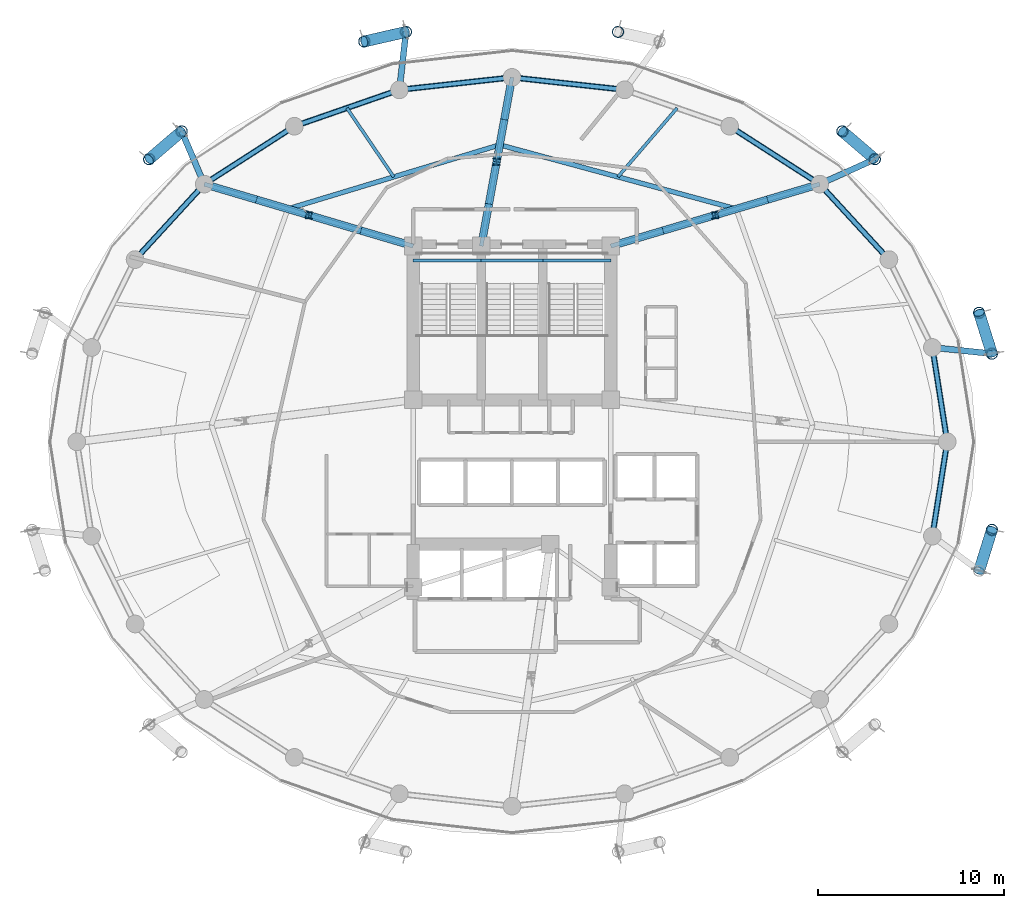
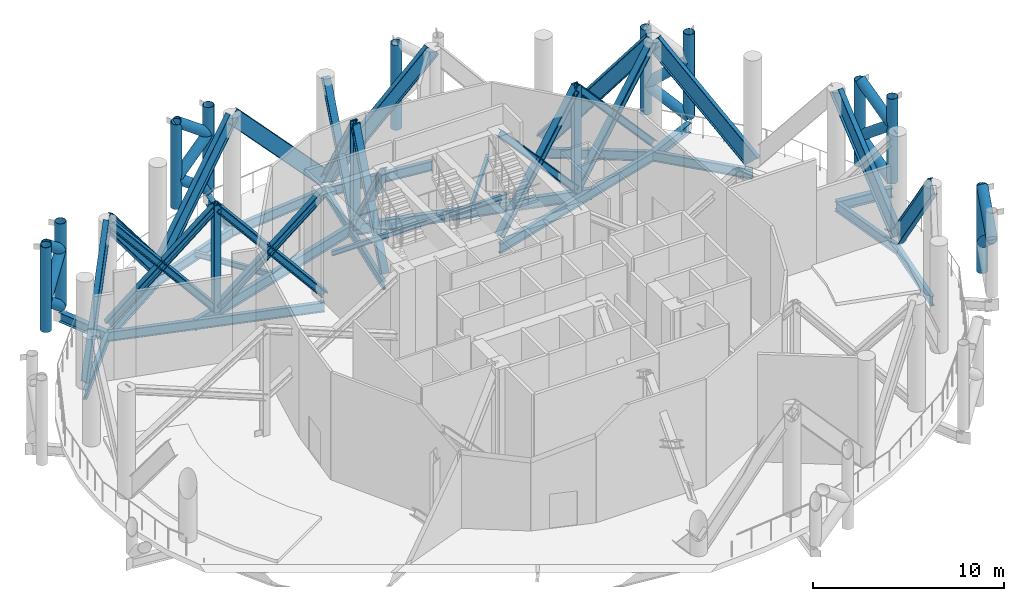
# One storey, part 3 of 18: 47 members, 23 beams.
"""IFC4 building model written with IfcOpenShell, lengths in metres."""

from ifc_helpers import new_model, si_unit, direction, frame, origin, origin_2d, place, context, subcontext, project, spatial, hollow_circle, i_section, extrude, material, material_profile, profile_set, type_object, element, save


model = new_model("IFC4")

# Units and contexts
model_context = context("Model", 3, precision=1e-05, world=origin(), true_north=direction((0.0, 1.0)))
body_context = subcontext(model_context, "Body", "Model", "MODEL_VIEW")
ifc_project = project(units=[si_unit("LENGTHUNIT", "METRE"), si_unit("AREAUNIT", "SQUARE_METRE"), si_unit("VOLUMEUNIT", "CUBIC_METRE"), si_unit("PLANEANGLEUNIT", "RADIAN"), si_unit("MASSUNIT", "GRAM", prefix="KILO")], contexts=[model_context])

# Site, building, storey
site_placement = place(None, origin())
site = spatial("IfcSite", under=ifc_project, at=site_placement, CompositionType="ELEMENT")
building_placement = place(site_placement, origin())
building = spatial("IfcBuilding", under=site, at=building_placement, Name="Nuhasar Tower", CompositionType="ELEMENT")
storey_placement = place(building_placement, frame((0.0, 0.0, 195.949951171875)))
storey = spatial("IfcBuildingStorey", under=building, at=storey_placement, Name="L48", CompositionType="ELEMENT", Elevation=195.949951171875)

# Members
ifc_material_1 = material(Name="Steel S460", Category="steel")
ifc_material_profile_1 = material_profile(ifc_material_1, i_section(OverallWidth=0.306884765625, OverallDepth=0.927001953125, WebThickness=0.019287109375, FlangeThickness=0.031982421875, at=origin_2d()), Name="W36X194")
ifc_profile_set_1 = profile_set([ifc_material_profile_1], Name="Steel S460")
member_type_1 = type_object("IfcMemberType", Name="BLT-DIAG-W36B", PredefinedType="CHORD", material=ifc_profile_set_1)
member_1_placement = place(storey_placement, frame((62.35009765625, 26.800048828125, 0.150146484375), z_axis=(-0.09547676718, 0.606823513206, 0.789081371437), x_axis=(-0.987847452566, -0.155426543608, 0.0)))
element("IfcMember", 1, at=member_1_placement, inside=storey, type_object=member_type_1, Name="L48 Belt Truss Diagonal 01", PredefinedType="CHORD", context=body_context, shape_type="SweptSolid", body=[
    extrude(i_section(OverallWidth=0.306884765625, OverallDepth=0.927001953125, WebThickness=0.019287109375, FlangeThickness=0.031982421875, at=origin_2d()), origin(), (0.0, 0.0, 1.0), 8.338623046875),
])
member_2_placement = place(storey_placement, frame((59.221923828125, 36.574951171875, 0.150146484375), z_axis=(-0.432969609117, 0.472421116263, 0.767694995744), x_axis=(-0.737218716491, -0.675654174897, 0.0)))
element("IfcMember", 2, at=member_2_placement, inside=storey, type_object=member_type_1, Name="L48 Belt Truss Diagonal 03", PredefinedType="CHORD", context=body_context, shape_type="SweptSolid", body=[
    extrude(i_section(OverallWidth=0.306884765625, OverallDepth=0.927001953125, WebThickness=0.019287109375, FlangeThickness=0.031982421875, at=origin_2d()), origin(), (0.0, 0.0, 1.0), 8.57080078125),
])
member_3_placement = place(storey_placement, frame((50.675048828125, 43.73095703125, 0.150146484375), z_axis=(0.553506810304, -0.355610241717, 0.753107938434), x_axis=(0.540525726448, 0.841327486207, 0.0)))
element("IfcMember", 3, at=member_3_placement, inside=storey, type_object=member_type_1, Name="L48 Belt Truss Diagonal 04", PredefinedType="CHORD", context=body_context, shape_type="SweptSolid", body=[
    extrude(i_section(OverallWidth=0.306884765625, OverallDepth=0.927001953125, WebThickness=0.019287109375, FlangeThickness=0.031982421875, at=origin_2d()), origin(), (0.0, 0.0, 1.0), 8.73681640625),
])
for number, where, z_axis, x_axis, name in (
    (4, (39.0, 46.35009765625, 0.150146484375), (0.674549129538, -0.074344296436, 0.734476955001), (0.109549974015, 0.993981289157, 0.0), "L48 Belt Truss Diagonal 06"),
    (5, (39.0, 46.35009765625, 0.150146484375), (-0.674549129538, -0.074344296436, 0.734476955001), (0.109549974015, -0.993981289157, 0.0), "L48 Belt Truss Diagonal 07"),
):
    element("IfcMember", number, at=place(storey_placement, frame(where, z_axis=z_axis, x_axis=x_axis)), inside=storey, type_object=member_type_1, Name=name, PredefinedType="CHORD", context=body_context, shape_type="SweptSolid", body=[
        extrude(i_section(OverallWidth=0.306884765625, OverallDepth=0.927001953125, WebThickness=0.019287109375, FlangeThickness=0.031982421875, at=origin_2d()), origin(), (0.0, 0.0, 1.0), 8.95849609375),
    ])
member_4_placement = place(storey_placement, frame((27.324951171875, 43.73095703125, 0.150146484375), z_axis=(0.634344465862, 0.219981608518, 0.741090541395), x_axis=(-0.327643636066, 0.944801380051, 0.0)))
element("IfcMember", 6, at=member_4_placement, inside=storey, type_object=member_type_1, Name="L48 Belt Truss Diagonal 08", PredefinedType="CHORD", context=body_context, shape_type="SweptSolid", body=[
    extrude(i_section(OverallWidth=0.306884765625, OverallDepth=0.927001953125, WebThickness=0.019287109375, FlangeThickness=0.031982421875, at=origin_2d()), origin(), (0.0, 0.0, 1.0), 8.878662109375),
])
member_5_placement = place(storey_placement, frame((27.324951171875, 43.73095703125, 0.150146484375), z_axis=(-0.553506810304, -0.355610241717, 0.753107938434), x_axis=(0.540525726448, -0.841327486207, 0.0)))
element("IfcMember", 7, at=member_5_placement, inside=storey, type_object=member_type_1, Name="L48 Belt Truss Diagonal 09", PredefinedType="CHORD", context=body_context, shape_type="SweptSolid", body=[
    extrude(i_section(OverallWidth=0.306884765625, OverallDepth=0.927001953125, WebThickness=0.019287109375, FlangeThickness=0.031982421875, at=origin_2d()), origin(), (0.0, 0.0, 1.0), 8.73681640625),
])
member_6_placement = place(storey_placement, frame((18.778076171875, 36.574951171875, 0.150146484375), z_axis=(0.432969609117, 0.472421116263, 0.767694995744), x_axis=(-0.737218716491, 0.675654174897, 0.0)))
element("IfcMember", 8, at=member_6_placement, inside=storey, type_object=member_type_1, Name="L48 Belt Truss Diagonal 10", PredefinedType="CHORD", context=body_context, shape_type="SweptSolid", body=[
    extrude(i_section(OverallWidth=0.306884765625, OverallDepth=0.927001953125, WebThickness=0.019287109375, FlangeThickness=0.031982421875, at=origin_2d()), origin(), (0.0, 0.0, 1.0), 8.57080078125),
])
member_7_placement = place(storey_placement, frame((62.35009765625, 26.800048828125, 0.150146484375), z_axis=(-0.09547676718, -0.606823513206, 0.789081371437), x_axis=(0.987847452566, -0.155426543608, 0.0)))
element("IfcMember", 9, at=member_7_placement, inside=storey, type_object=member_type_1, Name="L48 Belt Truss Diagonal 24", PredefinedType="CHORD", context=body_context, shape_type="SweptSolid", body=[
    extrude(i_section(OverallWidth=0.306884765625, OverallDepth=0.927001953125, WebThickness=0.019287109375, FlangeThickness=0.031982421875, at=origin_2d()), origin(), (0.0, 0.0, 1.0), 8.338623046875),
])

# Beams
ifc_material_2 = material(Name="Steel S355", Category="steel")
ifc_material_profile_2 = material_profile(ifc_material_2, i_section(OverallWidth=0.25390625, OverallDepth=0.68408203125, WebThickness=0.012451171875, FlangeThickness=0.018798828125, at=origin_2d()), Name="W27X94")
ifc_profile_set_2 = profile_set([ifc_material_profile_2], Name="Steel S355")
beam_type_1 = type_object("IfcBeamType", Name="BM-INRING-W27X94", PredefinedType="BEAM", material=ifc_profile_set_2)
beam_1_placement = place(storey_placement, frame((51.027099609375, 39.2939453125, -0.69189453125), z_axis=(-0.96522695776, 0.261413312618, 0.0), x_axis=(-0.261413312618, -0.96522695776, 0.0)))
element("IfcBeam", 10, at=beam_1_placement, inside=storey, type_object=beam_type_1, Name="L48 Inner Header Beam 05", PredefinedType="BEAM", context=body_context, shape_type="SweptSolid", body=[
    extrude(i_section(OverallWidth=0.25390625, OverallDepth=0.68408203125, WebThickness=0.012451171875, FlangeThickness=0.018798828125, at=origin_2d()), origin(), (0.0, 0.0, 1.0), 13.14404296875),
])
beam_2_placement = place(storey_placement, frame((38.340087890625, 42.72998046875, -0.69189453125), z_axis=(-0.95722440557, -0.289346569673, 0.0), x_axis=(0.289346569673, -0.95722440557, 0.0)))
element("IfcBeam", 11, at=beam_2_placement, inside=storey, type_object=beam_type_1, Name="L48 Inner Header Beam 06", PredefinedType="BEAM", context=body_context, shape_type="SweptSolid", body=[
    extrude(i_section(OverallWidth=0.25390625, OverallDepth=0.68408203125, WebThickness=0.012451171875, FlangeThickness=0.018798828125, at=origin_2d()), origin(), (0.0, 0.0, 1.0), 11.875244140625),
])
ifc_material_profile_3 = material_profile(ifc_material_2, i_section(OverallWidth=0.1708984375, OverallDepth=0.35205078125, WebThickness=0.0068359375, FlangeThickness=0.009765625, at=origin_2d()), Name="W14X30")
ifc_profile_set_3 = profile_set([ifc_material_profile_3], Name="Steel S355")
beam_type_2 = type_object("IfcBeamType", Name="BM-JST-W14X30", PredefinedType="JOIST", material=ifc_profile_set_3)
beam_3_placement = place(storey_placement, frame((44.68408203125, 41.011962890625, -0.52587890625), z_axis=(0.651690621509, 0.758484893612, 0.0), x_axis=(-0.758484893612, 0.651690621509, 0.0)))
element("IfcBeam", 12, at=beam_3_placement, inside=storey, type_object=beam_type_2, Name="L48 Secondary Floor Joist 05", PredefinedType="JOIST", context=body_context, shape_type="SweptSolid", body=[
    extrude(i_section(OverallWidth=0.1708984375, OverallDepth=0.35205078125, WebThickness=0.0068359375, FlangeThickness=0.009765625, at=origin_2d()), origin(), (0.0, 0.0, 1.0), 4.87158203125),
])
beam_4_placement = place(storey_placement, frame((32.656982421875, 41.011962890625, -0.52587890625), z_axis=(-0.562802886474, 0.826591138941, 0.0), x_axis=(-0.826591138941, -0.562802886474, 0.0)))
element("IfcBeam", 13, at=beam_4_placement, inside=storey, type_object=beam_type_2, Name="L48 Secondary Floor Joist 06", PredefinedType="JOIST", context=body_context, shape_type="SweptSolid", body=[
    extrude(i_section(OverallWidth=0.1708984375, OverallDepth=0.35205078125, WebThickness=0.0068359375, FlangeThickness=0.009765625, at=origin_2d()), origin(), (0.0, 0.0, 1.0), 4.47021484375),
])
ifc_material_profile_4 = material_profile(ifc_material_2, i_section(OverallWidth=0.1650390625, OverallDepth=0.31005859375, WebThickness=0.005859375, FlangeThickness=0.009765625, at=origin_2d()), Name="W12X26")
ifc_profile_set_4 = profile_set([ifc_material_profile_4], Name="Steel S355")
beam_type_3 = type_object("IfcBeamType", Name="BM-LNT-W12X26", PredefinedType="LINTEL", material=ifc_profile_set_4)
beam_5_placement = place(storey_placement, frame((33.699951171875, 36.530029296875, 3.205078125), z_axis=(1.0, 0.0, 0.0), x_axis=(0.0, 1.0, 0.0)))
element("IfcBeam", 14, at=beam_5_placement, inside=storey, type_object=beam_type_3, Name="L48 Stair ST-01 Mid-Landing Trimmer Beam 1", PredefinedType="LINTEL", context=body_context, shape_type="SweptSolid", body=[
    extrude(i_section(OverallWidth=0.1650390625, OverallDepth=0.31005859375, WebThickness=0.005859375, FlangeThickness=0.009765625, at=origin_2d()), origin(), (0.0, 0.0, 1.0), 3.650146484375),
])
beam_6_placement = place(storey_placement, frame((37.35009765625, 36.530029296875, 3.205078125), z_axis=(1.0, 0.0, 0.0), x_axis=(0.0, 1.0, 0.0)))
element("IfcBeam", 15, at=beam_6_placement, inside=storey, type_object=beam_type_3, Name="L48 Stair ST-03 Mid-Landing Trimmer Beam 1", PredefinedType="LINTEL", context=body_context, shape_type="SweptSolid", body=[
    extrude(i_section(OverallWidth=0.1650390625, OverallDepth=0.31005859375, WebThickness=0.005859375, FlangeThickness=0.009765625, at=origin_2d()), origin(), (0.0, 0.0, 1.0), 3.2998046875),
])
beam_7_placement = place(storey_placement, frame((40.64990234375, 36.530029296875, 3.205078125), z_axis=(1.0, 0.0, 0.0), x_axis=(0.0, 1.0, 0.0)))
element("IfcBeam", 16, at=beam_7_placement, inside=storey, type_object=beam_type_3, Name="L48 Stair ST-02 Mid-Landing Trimmer Beam 1", PredefinedType="LINTEL", context=body_context, shape_type="SweptSolid", body=[
    extrude(i_section(OverallWidth=0.1650390625, OverallDepth=0.31005859375, WebThickness=0.005859375, FlangeThickness=0.009765625, at=origin_2d()), origin(), (0.0, 0.0, 1.0), 3.650146484375),
])
ifc_material_profile_5 = material_profile(ifc_material_2, i_section(OverallWidth=0.208984375, OverallDepth=0.532958984375, WebThickness=0.01025390625, FlangeThickness=0.015625, at=origin_2d()), Name="W21X62")
ifc_profile_set_5 = profile_set([ifc_material_profile_5], Name="Steel S355")
beam_type_4 = type_object("IfcBeamType", Name="BM-RAD-W21X62", PredefinedType="BEAM", material=ifc_profile_set_5)
beam_8_placement = place(storey_placement, frame((37.35009765625, 37.300048828125, -0.616943359375), z_axis=(0.179352509513, 0.983784873502, 0.0), x_axis=(-0.983784873502, 0.179352509513, 0.0)))
element("IfcBeam", 17, at=beam_8_placement, inside=storey, type_object=beam_type_4, Name="L48 Radial Floor Girder 06", PredefinedType="BEAM", context=body_context, shape_type="SweptSolid", body=[
    extrude(i_section(OverallWidth=0.208984375, OverallDepth=0.532958984375, WebThickness=0.01025390625, FlangeThickness=0.015625, at=origin_2d()), origin(), (0.0, 0.0, 1.0), 9.19921875),
])
ifc_material_profile_6 = material_profile(ifc_material_2, i_section(OverallWidth=0.22900390625, OverallDepth=0.612060546875, WebThickness=0.011962890625, FlangeThickness=0.01953125, at=origin_2d()), Name="W24X84")
ifc_profile_set_6 = profile_set([ifc_material_profile_6], Name="Steel S355")
beam_type_5 = type_object("IfcBeamType", Name="BM-RAD-W24X84", PredefinedType="BEAM", material=ifc_profile_set_6)
for number, where, z_axis, x_axis, name in (
    (18, (44.300048828125, 37.300048828125, -0.656005859375), (0.958746492721, 0.284262489076, 0.0), (-0.284262489076, 0.958746492721, 0.0), "L48 Radial Floor Girder 05"),
    (19, (33.699951171875, 37.300048828125, -0.656005859375), (-0.958746492721, 0.284262489076, 0.0), (-0.284262489076, -0.958746492721, 0.0), "L48 Radial Floor Girder 07"),
):
    element("IfcBeam", number, at=place(storey_placement, frame(where, z_axis=z_axis, x_axis=x_axis)), inside=storey, type_object=beam_type_5, Name=name, PredefinedType="BEAM", context=body_context, shape_type="SweptSolid", body=[
        extrude(i_section(OverallWidth=0.22900390625, OverallDepth=0.612060546875, WebThickness=0.011962890625, FlangeThickness=0.01953125, at=origin_2d()), origin(), (0.0, 0.0, 1.0), 11.693359375),
    ])
ifc_material_profile_7 = material_profile(ifc_material_2, i_section(OverallWidth=0.22998046875, OverallDepth=0.616943359375, WebThickness=0.01318359375, FlangeThickness=0.022216796875, at=origin_2d()), Name="W24X94")
ifc_profile_set_7 = profile_set([ifc_material_profile_7], Name="Steel S355")
beam_type_6 = type_object("IfcBeamType", Name="BM-RING-W24X94", PredefinedType="SPANDREL", material=ifc_profile_set_7)
beam_9_placement = place(storey_placement, frame((62.35009765625, 26.800048828125, -0.658935546875), z_axis=(-0.155426543608, 0.987847452566, 0.0), x_axis=(-0.987847452566, -0.155426543608, 0.0)))
element("IfcBeam", 20, at=beam_9_placement, inside=storey, type_object=beam_type_6, Name="L48 Perimeter Ring Spandrel 01", PredefinedType="SPANDREL", context=body_context, shape_type="SweptSolid", body=[
    extrude(i_section(OverallWidth=0.22998046875, OverallDepth=0.616943359375, WebThickness=0.01318359375, FlangeThickness=0.022216796875, at=origin_2d()), origin(), (0.0, 0.0, 1.0), 5.122314453125),
])
beam_10_placement = place(storey_placement, frame((59.221923828125, 36.574951171875, -0.658935546875), z_axis=(-0.675654174897, 0.737218716491, 0.0), x_axis=(-0.737218716491, -0.675654174897, 0.0)))
element("IfcBeam", 21, at=beam_10_placement, inside=storey, type_object=beam_type_6, Name="L48 Perimeter Ring Spandrel 03", PredefinedType="SPANDREL", context=body_context, shape_type="SweptSolid", body=[
    extrude(i_section(OverallWidth=0.22998046875, OverallDepth=0.616943359375, WebThickness=0.01318359375, FlangeThickness=0.022216796875, at=origin_2d()), origin(), (0.0, 0.0, 1.0), 5.492431640625),
])
beam_11_placement = place(storey_placement, frame((55.510986328125, 40.6240234375, -0.658935546875), z_axis=(-0.841327486207, 0.540525726448, 0.0), x_axis=(-0.540525726448, -0.841327486207, 0.0)))
element("IfcBeam", 22, at=beam_11_placement, inside=storey, type_object=beam_type_6, Name="L48 Perimeter Ring Spandrel 04", PredefinedType="SPANDREL", context=body_context, shape_type="SweptSolid", body=[
    extrude(i_section(OverallWidth=0.22998046875, OverallDepth=0.616943359375, WebThickness=0.01318359375, FlangeThickness=0.022216796875, at=origin_2d()), origin(), (0.0, 0.0, 1.0), 5.748046875),
])
for number, where, z_axis, x_axis, name in (
    (23, (45.04296875, 45.68408203125, -0.658935546875), (-0.993981289157, 0.109549974015, 0.0), (-0.109549974015, -0.993981289157, 0.0), "L48 Perimeter Ring Spandrel 06"),
    (24, (39.0, 46.35009765625, -0.658935546875), (-0.993981289157, -0.109549974015, 0.0), (0.109549974015, -0.993981289157, 0.0), "L48 Perimeter Ring Spandrel 07"),
):
    element("IfcBeam", number, at=place(storey_placement, frame(where, z_axis=z_axis, x_axis=x_axis)), inside=storey, type_object=beam_type_6, Name=name, PredefinedType="SPANDREL", context=body_context, shape_type="SweptSolid", body=[
        extrude(i_section(OverallWidth=0.22998046875, OverallDepth=0.616943359375, WebThickness=0.01318359375, FlangeThickness=0.022216796875, at=origin_2d()), origin(), (0.0, 0.0, 1.0), 6.07958984375),
    ])
beam_12_placement = place(storey_placement, frame((32.95703125, 45.68408203125, -0.658935546875), z_axis=(-0.944801380051, -0.327643636066, 0.0), x_axis=(0.327643636066, -0.944801380051, 0.0)))
element("IfcBeam", 25, at=beam_12_placement, inside=storey, type_object=beam_type_6, Name="L48 Perimeter Ring Spandrel 08", PredefinedType="SPANDREL", context=body_context, shape_type="SweptSolid", body=[
    extrude(i_section(OverallWidth=0.22998046875, OverallDepth=0.616943359375, WebThickness=0.01318359375, FlangeThickness=0.022216796875, at=origin_2d()), origin(), (0.0, 0.0, 1.0), 5.961181640625),
])
beam_13_placement = place(storey_placement, frame((27.324951171875, 43.73095703125, -0.658935546875), z_axis=(-0.841327486207, -0.540525726448, 0.0), x_axis=(0.540525726448, -0.841327486207, 0.0)))
element("IfcBeam", 26, at=beam_13_placement, inside=storey, type_object=beam_type_6, Name="L48 Perimeter Ring Spandrel 09", PredefinedType="SPANDREL", context=body_context, shape_type="SweptSolid", body=[
    extrude(i_section(OverallWidth=0.22998046875, OverallDepth=0.616943359375, WebThickness=0.01318359375, FlangeThickness=0.022216796875, at=origin_2d()), origin(), (0.0, 0.0, 1.0), 5.748046875),
])
beam_14_placement = place(storey_placement, frame((22.489013671875, 40.6240234375, -0.658935546875), z_axis=(-0.675654174897, -0.737218716491, 0.0), x_axis=(0.737218716491, -0.675654174897, 0.0)))
element("IfcBeam", 27, at=beam_14_placement, inside=storey, type_object=beam_type_6, Name="L48 Perimeter Ring Spandrel 10", PredefinedType="SPANDREL", context=body_context, shape_type="SweptSolid", body=[
    extrude(i_section(OverallWidth=0.22998046875, OverallDepth=0.616943359375, WebThickness=0.01318359375, FlangeThickness=0.022216796875, at=origin_2d()), origin(), (0.0, 0.0, 1.0), 5.492431640625),
])
beam_15_placement = place(storey_placement, frame((61.553955078125, 21.739990234375, -0.658935546875), z_axis=(0.155426543608, 0.987847452566, 0.0), x_axis=(-0.987847452566, 0.155426543608, 0.0)))
element("IfcBeam", 28, at=beam_15_placement, inside=storey, type_object=beam_type_6, Name="L48 Perimeter Ring Spandrel 24", PredefinedType="SPANDREL", context=body_context, shape_type="SweptSolid", body=[
    extrude(i_section(OverallWidth=0.22998046875, OverallDepth=0.616943359375, WebThickness=0.01318359375, FlangeThickness=0.022216796875, at=origin_2d()), origin(), (0.0, 0.0, 1.0), 5.122314453125),
])
ifc_material_profile_8 = material_profile(ifc_material_2, i_section(OverallWidth=0.323974609375, OverallDepth=0.611083984375, WebThickness=0.0126953125, FlangeThickness=0.01904296875, at=origin_2d()), Name="W24X104")
ifc_profile_set_8 = profile_set([ifc_material_profile_8], Name="Steel S355")
beam_type_7 = type_object("IfcBeamType", Name="BM-TIE-W24X104", PredefinedType="BEAM", material=ifc_profile_set_8)
beam_16_placement = place(storey_placement, frame((61.553955078125, 31.860107421875, -0.656005859375), z_axis=(0.994569828715, -0.104071397654, 0.0), x_axis=(0.104071397654, 0.994569828715, 0.0)))
element("IfcBeam", 29, at=beam_16_placement, inside=storey, type_object=beam_type_7, Name="L48 Exoskeleton Node Tie Beam 01", PredefinedType="BEAM", context=body_context, shape_type="SweptSolid", body=[
    extrude(i_section(OverallWidth=0.323974609375, OverallDepth=0.611083984375, WebThickness=0.0126953125, FlangeThickness=0.01904296875, at=origin_2d()), origin(), (0.0, 0.0, 1.0), 3.21142578125),
])
beam_17_placement = place(storey_placement, frame((55.510986328125, 40.6240234375, -0.656005859375), z_axis=(0.911239591969, 0.411876687891, 0.0), x_axis=(-0.411876687891, 0.911239591969, 0.0)))
element("IfcBeam", 30, at=beam_17_placement, inside=storey, type_object=beam_type_7, Name="L48 Exoskeleton Node Tie Beam 02", PredefinedType="BEAM", context=body_context, shape_type="SweptSolid", body=[
    extrude(i_section(OverallWidth=0.323974609375, OverallDepth=0.611083984375, WebThickness=0.0126953125, FlangeThickness=0.01904296875, at=origin_2d()), origin(), (0.0, 0.0, 1.0), 3.248291015625),
])
beam_18_placement = place(storey_placement, frame((32.95703125, 45.68408203125, -0.656005859375), z_axis=(0.114167639647, 0.993461499031, 0.0), x_axis=(-0.993461499031, 0.114167639647, 0.0)))
element("IfcBeam", 31, at=beam_18_placement, inside=storey, type_object=beam_type_7, Name="L48 Exoskeleton Node Tie Beam 04", PredefinedType="BEAM", context=body_context, shape_type="SweptSolid", body=[
    extrude(i_section(OverallWidth=0.323974609375, OverallDepth=0.611083984375, WebThickness=0.0126953125, FlangeThickness=0.01904296875, at=origin_2d()), origin(), (0.0, 0.0, 1.0), 3.12646484375),
])
beam_19_placement = place(storey_placement, frame((22.489013671875, 40.6240234375, -0.656005859375), z_axis=(-0.39330721304, 0.919407111225, 0.0), x_axis=(-0.919407111225, -0.39330721304, 0.0)))
element("IfcBeam", 32, at=beam_19_placement, inside=storey, type_object=beam_type_7, Name="L48 Exoskeleton Node Tie Beam 05", PredefinedType="BEAM", context=body_context, shape_type="SweptSolid", body=[
    extrude(i_section(OverallWidth=0.323974609375, OverallDepth=0.611083984375, WebThickness=0.0126953125, FlangeThickness=0.01904296875, at=origin_2d()), origin(), (0.0, 0.0, 1.0), 3.081298828125),
])

# Members
ifc_material_profile_9 = material_profile(ifc_material_1, hollow_circle(Radius=0.304931640625, WallThickness=0.025390625, at=origin_2d()), Name="HSS610X25.4")
ifc_profile_set_9 = profile_set([ifc_material_profile_9], Name="Steel S460")
member_type_2 = type_object("IfcMemberType", Name="EXO-BRONZE-610", PredefinedType="BRACE", material=ifc_profile_set_9)
for number, where, z_axis, x_axis, name in (
    (33, (64.748046875, 31.52587890625, 0.0), (0.0, 0.0, 1.0), (1.0, 0.0, 0.0), "L48 Exoskeleton Chord Column EC-01A"),
    (34, (64.06005859375, 33.720947265625, 0.0), (0.0, 0.0, 1.0), (1.0, 0.0, 0.0), "L48 Exoskeleton Chord Column EC-01B"),
    (35, (58.470947265625, 41.9619140625, 0.0), (0.0, 0.0, 1.0), (1.0, 0.0, 0.0), "L48 Exoskeleton Chord Column EC-02A"),
    (36, (56.722900390625, 43.45703125, 0.0), (0.0, 0.0, 1.0), (1.0, 0.0, 0.0), "L48 Exoskeleton Chord Column EC-02B"),
    (37, (44.68603515625, 48.7900390625, 0.0), (0.0, 0.0, 1.0), (1.0, 0.0, 0.0), "L48 Exoskeleton Chord Column EC-03B"),
    (38, (33.31396484375, 48.7900390625, 0.0), (0.0, 0.0, 1.0), (1.0, 0.0, 0.0), "L48 Exoskeleton Chord Column EC-04A"),
    (39, (31.072021484375, 48.27587890625, 0.0), (0.0, 0.0, 1.0), (1.0, 0.0, 0.0), "L48 Exoskeleton Chord Column EC-04B"),
    (40, (21.277099609375, 43.45703125, 0.0), (0.0, 0.0, 1.0), (1.0, 0.0, 0.0), "L48 Exoskeleton Chord Column EC-05A"),
    (41, (19.529052734375, 41.9619140625, 0.0), (0.0, 0.0, 1.0), (1.0, 0.0, 0.0), "L48 Exoskeleton Chord Column EC-05B"),
    (42, (64.748046875, 22.073974609375, 0.0), (0.0, 0.0, 1.0), (1.0, 0.0, 0.0), "L48 Exoskeleton Chord Column EC-12B"),
):
    element("IfcMember", number, at=place(storey_placement, frame(where, z_axis=z_axis, x_axis=x_axis)), inside=storey, type_object=member_type_2, Name=name, PredefinedType="BRACE", context=body_context, shape_type="SweptSolid", body=[
        extrude(hollow_circle(Radius=0.304931640625, WallThickness=0.025390625, at=origin_2d()), origin(), (0.0, 0.0, 1.0), 5.429931640625),
    ])
for number, where, z_axis, x_axis, name in (
    (43, (64.748046875, 31.52587890625, 0.0), (-0.23504022633, 0.749910104661, 0.618377657208), (-0.954228474306, -0.29907861646, 0.0), "L48 Bronze Diagrid Brace W1-01"),
    (44, (64.06005859375, 33.720947265625, 1.81005859375), (0.23504022633, -0.749910104661, 0.618377657208), (0.954228474306, 0.29907861646, 0.0), "L48 Bronze Diagrid Brace W2-01"),
    (45, (64.748046875, 31.52587890625, 3.6201171875), (-0.23505234909, 0.749948783062, 0.618326140456), (-0.954228474306, -0.29907861646, 0.0), "L48 Bronze Diagrid Brace W3-01"),
    (46, (58.470947265625, 41.9619140625, 0.0), (-0.597213591493, 0.51080112211, 0.618399660242), (-0.649986859795, -0.759945446788, 0.0), "L48 Bronze Diagrid Brace W1-02"),
    (47, (56.722900390625, 43.45703125, 1.81005859375), (0.597213591493, -0.51080112211, 0.618399660242), (0.649986859795, 0.759945446788, 0.0), "L48 Bronze Diagrid Brace W2-02"),
    (48, (33.31396484375, 48.7900390625, 0.0), (-0.765968109911, -0.175664689042, 0.618413107577), (0.223533724104, -0.974696195842, 0.0), "L48 Bronze Diagrid Brace W1-04"),
    (49, (31.072021484375, 48.27587890625, 1.81005859375), (0.765968109911, 0.175664689042, 0.618413107577), (-0.223533724104, 0.974696195842, 0.0), "L48 Bronze Diagrid Brace W2-04"),
):
    element("IfcMember", number, at=place(storey_placement, frame(where, z_axis=z_axis, x_axis=x_axis)), inside=storey, type_object=member_type_2, Name=name, PredefinedType="BRACE", context=body_context, shape_type="SweptSolid", body=[
        extrude(hollow_circle(Radius=0.304931640625, WallThickness=0.025390625, at=origin_2d()), origin(), (0.0, 0.0, 1.0), 2.927001953125),
    ])
member_8_placement = place(storey_placement, frame((33.31396484375, 48.7900390625, 3.6201171875), z_axis=(-0.766007621072, -0.175673750406, 0.618361591529), x_axis=(0.223533724104, -0.974696195842, 0.0)))
element("IfcMember", 50, at=member_8_placement, inside=storey, type_object=member_type_2, Name="L48 Bronze Diagrid Brace W3-04", PredefinedType="BRACE", context=body_context, shape_type="SweptSolid", body=[
    extrude(hollow_circle(Radius=0.304931640625, WallThickness=0.025390625, at=origin_2d()), origin(), (0.0, 0.0, 1.0), 2.9267578125),
])
for number, where, z_axis, x_axis, name in (
    (51, (21.277099609375, 43.45703125, 0.0), (-0.597213591493, -0.51080112211, 0.618399660242), (0.649986859795, -0.759945446788, 0.0), "L48 Bronze Diagrid Brace W1-05"),
    (52, (19.529052734375, 41.9619140625, 1.81005859375), (0.597213591493, 0.51080112211, 0.618399660242), (-0.649986859795, 0.759945446788, 0.0), "L48 Bronze Diagrid Brace W2-05"),
):
    element("IfcMember", number, at=place(storey_placement, frame(where, z_axis=z_axis, x_axis=x_axis)), inside=storey, type_object=member_type_2, Name=name, PredefinedType="BRACE", context=body_context, shape_type="SweptSolid", body=[
        extrude(hollow_circle(Radius=0.304931640625, WallThickness=0.025390625, at=origin_2d()), origin(), (0.0, 0.0, 1.0), 2.927001953125),
    ])
member_9_placement = place(storey_placement, frame((21.277099609375, 43.45703125, 3.6201171875), z_axis=(-0.5972443964, -0.51082746977, 0.618348143926), x_axis=(0.649986859795, -0.759945446788, 0.0)))
element("IfcMember", 53, at=member_9_placement, inside=storey, type_object=member_type_2, Name="L48 Bronze Diagrid Brace W3-05", PredefinedType="BRACE", context=body_context, shape_type="SweptSolid", body=[
    extrude(hollow_circle(Radius=0.304931640625, WallThickness=0.025390625, at=origin_2d()), origin(), (0.0, 0.0, 1.0), 2.9267578125),
])
for number, where, z_axis, x_axis, name in (
    (54, (64.748046875, 22.073974609375, 1.81005859375), (-0.23504022633, -0.749910104661, 0.618377657208), (0.954228474306, -0.29907861646, 0.0), "L48 Bronze Diagrid Brace W2-12"),
    (55, (64.06005859375, 19.87890625, 3.6201171875), (0.23505234909, 0.749948783062, 0.618326140456), (-0.954228474306, 0.29907861646, 0.0), "L48 Bronze Diagrid Brace W3-12"),
):
    element("IfcMember", number, at=place(storey_placement, frame(where, z_axis=z_axis, x_axis=x_axis)), inside=storey, type_object=member_type_2, Name=name, PredefinedType="BRACE", context=body_context, shape_type="SweptSolid", body=[
        extrude(hollow_circle(Radius=0.304931640625, WallThickness=0.025390625, at=origin_2d()), origin(), (0.0, 0.0, 1.0), 2.927001953125),
    ])
ifc_material_profile_10 = material_profile(ifc_material_1, i_section(OverallWidth=0.39892578125, OverallDepth=0.385986328125, WebThickness=0.02099609375, FlangeThickness=0.033203125, at=origin_2d()), Name="W14X176")
ifc_profile_set_10 = profile_set([ifc_material_profile_10], Name="Steel S460")
member_type_3 = type_object("IfcMemberType", Name="OUT-CHRD-W14C", PredefinedType="CHORD", material=ifc_profile_set_10)
for number, where, z_axis, x_axis, name in (
    (56, (49.906005859375, 38.9619140625, 0.0), (0.0, 0.0, 1.0), (1.0, 0.0, 0.0), "L48 Outrigger Truss Post 05"),
    (57, (38.175048828125, 41.824951171875, 0.0), (0.0, 0.0, 1.0), (1.0, 0.0, 0.0), "L48 Outrigger Truss Post 06"),
    (58, (28.094970703125, 38.9619140625, 0.0), (0.0, 0.0, 1.0), (1.0, 0.0, 0.0), "L48 Outrigger Truss Post 07"),
):
    element("IfcMember", number, at=place(storey_placement, frame(where, z_axis=z_axis, x_axis=x_axis)), inside=storey, type_object=member_type_3, Name=name, PredefinedType="CHORD", context=body_context, shape_type="SweptSolid", body=[
        extrude(i_section(OverallWidth=0.39892578125, OverallDepth=0.385986328125, WebThickness=0.02099609375, FlangeThickness=0.033203125, at=origin_2d()), origin(), (0.0, 0.0, 1.0), 6.880126953125),
    ])
ifc_material_profile_11 = material_profile(ifc_material_1, i_section(OverallWidth=0.406005859375, OverallDepth=0.416015625, WebThickness=0.02978515625, FlangeThickness=0.048095703125, at=origin_2d()), Name="W14X257")
ifc_profile_set_11 = profile_set([ifc_material_profile_11], Name="Steel S460")
member_type_4 = type_object("IfcMemberType", Name="OUT-DIAG-W14B", PredefinedType="STRUT", material=ifc_profile_set_11)
for number, where, z_axis, x_axis, name in (
    (59, (44.300048828125, 37.300048828125, 0.150146484375), (0.636864744542, 0.188796198767, 0.747502035108), (-0.284220539709, 0.958758929454, 0.0), "L48 Outrigger Truss Diagonal IN1-05"),
    (60, (49.906005859375, 38.9619140625, 0.150146484375), (-0.636864744542, -0.188796198767, 0.747502035108), (0.284220539709, -0.958758929454, 0.0), "L48 Outrigger Truss Diagonal IN2-05"),
):
    element("IfcMember", number, at=place(storey_placement, frame(where, z_axis=z_axis, x_axis=x_axis)), inside=storey, type_object=member_type_4, Name=name, PredefinedType="STRUT", context=body_context, shape_type="SweptSolid", body=[
        extrude(i_section(OverallWidth=0.406005859375, OverallDepth=0.416015625, WebThickness=0.02978515625, FlangeThickness=0.048095703125, at=origin_2d()), origin(), (0.0, 0.0, 1.0), 8.802490234375),
    ])
for number, where, z_axis, x_axis, name in (
    (61, (49.906005859375, 38.9619140625, 0.150146484375), (0.636795457827, 0.188836286998, 0.747550935792), (-0.28430444412, 0.958734052307, 0.0), "L48 Outrigger Truss Diagonal OUT1-05"),
    (62, (55.510986328125, 40.6240234375, 0.150146484375), (-0.636795457827, -0.188836286998, 0.747550935792), (0.28430444412, -0.958734052307, 0.0), "L48 Outrigger Truss Diagonal OUT2-05"),
):
    element("IfcMember", number, at=place(storey_placement, frame(where, z_axis=z_axis, x_axis=x_axis)), inside=storey, type_object=member_type_4, Name=name, PredefinedType="STRUT", context=body_context, shape_type="SweptSolid", body=[
        extrude(i_section(OverallWidth=0.406005859375, OverallDepth=0.416015625, WebThickness=0.02978515625, FlangeThickness=0.048095703125, at=origin_2d()), origin(), (0.0, 0.0, 1.0), 8.8017578125),
    ])
for number, where, z_axis, x_axis, name in (
    (63, (37.35009765625, 37.300048828125, 0.150146484375), (0.102758667613, 0.563636917887, 0.819606052335), (-0.983784019771, 0.179357192339, 0.0), "L48 Outrigger Truss Diagonal IN1-06"),
    (64, (38.175048828125, 41.824951171875, 0.150146484375), (-0.102758667613, -0.563636917887, 0.819606052335), (0.983784019771, -0.179357192339, 0.0), "L48 Outrigger Truss Diagonal IN2-06"),
    (65, (38.175048828125, 41.824951171875, 0.150146484375), (0.102756906251, 0.563657667167, 0.819592003659), (-0.983785727166, 0.179347826927, 0.0), "L48 Outrigger Truss Diagonal OUT1-06"),
    (66, (39.0, 46.35009765625, 0.150146484375), (-0.102756906251, -0.563657667167, 0.819592003659), (0.983785727166, -0.179347826927, 0.0), "L48 Outrigger Truss Diagonal OUT2-06"),
):
    element("IfcMember", number, at=place(storey_placement, frame(where, z_axis=z_axis, x_axis=x_axis)), inside=storey, type_object=member_type_4, Name=name, PredefinedType="STRUT", context=body_context, shape_type="SweptSolid", body=[
        extrude(i_section(OverallWidth=0.406005859375, OverallDepth=0.416015625, WebThickness=0.02978515625, FlangeThickness=0.048095703125, at=origin_2d()), origin(), (0.0, 0.0, 1.0), 8.028076171875),
    ])
for number, where, z_axis, x_axis, name in (
    (67, (33.699951171875, 37.300048828125, 0.150146484375), (-0.636798793035, 0.18880953847, 0.747554851079), (-0.284266058537, -0.95874543439, 0.0), "L48 Outrigger Truss Diagonal IN1-07"),
    (68, (28.094970703125, 38.9619140625, 0.150146484375), (0.636798793035, -0.18880953847, 0.747554851079), (0.284266058537, 0.95874543439, 0.0), "L48 Outrigger Truss Diagonal IN2-07"),
):
    element("IfcMember", number, at=place(storey_placement, frame(where, z_axis=z_axis, x_axis=x_axis)), inside=storey, type_object=member_type_4, Name=name, PredefinedType="STRUT", context=body_context, shape_type="SweptSolid", body=[
        extrude(i_section(OverallWidth=0.406005859375, OverallDepth=0.416015625, WebThickness=0.02978515625, FlangeThickness=0.048095703125, at=origin_2d()), origin(), (0.0, 0.0, 1.0), 8.8017578125),
    ])
for number, where, z_axis, x_axis, name in (
    (69, (28.094970703125, 38.9619140625, 0.150146484375), (-0.636861409461, 0.188822945545, 0.74749812065), (-0.284258920226, -0.958747550856, 0.0), "L48 Outrigger Truss Diagonal OUT1-07"),
    (70, (22.489013671875, 40.6240234375, 0.150146484375), (0.636861409461, -0.188822945545, 0.74749812065), (0.284258920226, 0.958747550856, 0.0), "L48 Outrigger Truss Diagonal OUT2-07"),
):
    element("IfcMember", number, at=place(storey_placement, frame(where, z_axis=z_axis, x_axis=x_axis)), inside=storey, type_object=member_type_4, Name=name, PredefinedType="STRUT", context=body_context, shape_type="SweptSolid", body=[
        extrude(i_section(OverallWidth=0.406005859375, OverallDepth=0.416015625, WebThickness=0.02978515625, FlangeThickness=0.048095703125, at=origin_2d()), origin(), (0.0, 0.0, 1.0), 8.802490234375),
    ])

save(model, "model.ifc")
